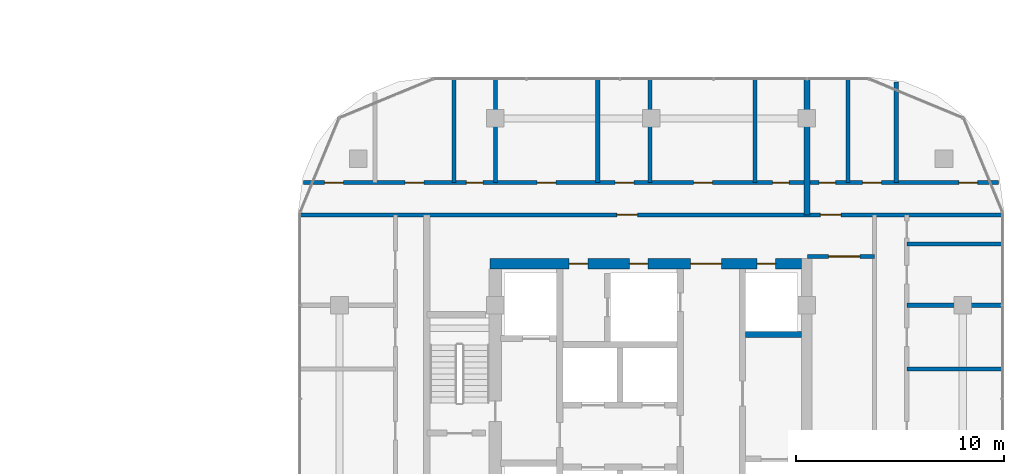
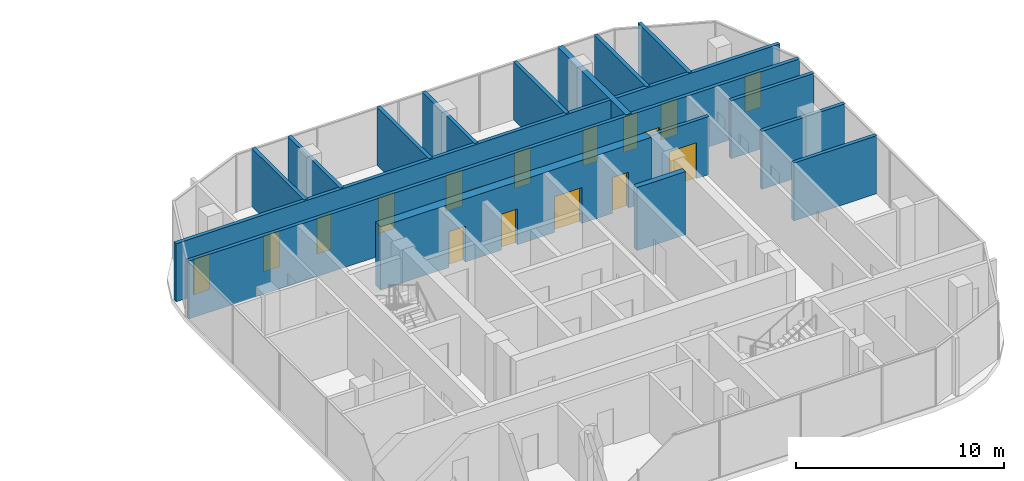
# One storey, part 23 of 32: 17 doors, 16 walls, 17 openings.
"""IFC4 building model written with IfcOpenShell, lengths in metres."""

from ifc_helpers import new_model, si_unit, direction, frame, frame_2d, origin, place, context, subcontext, project, spatial, rectangle, extrude, material, layer, layer_set, type_object, element, fill, save


model = new_model("IFC4")

# Units and contexts
model_context = context("Model", 3, precision=1e-05, world=origin(), true_north=direction((0.0, 1.0)))
body_context = subcontext(model_context, "Body", "Model", "MODEL_VIEW")
ifc_project = project(units=[si_unit("LENGTHUNIT", "METRE"), si_unit("AREAUNIT", "SQUARE_METRE"), si_unit("VOLUMEUNIT", "CUBIC_METRE"), si_unit("PLANEANGLEUNIT", "RADIAN"), si_unit("MASSUNIT", "GRAM", prefix="KILO")], contexts=[model_context])

# Site, building, storey
site_placement = place(None, origin())
site = spatial("IfcSite", under=ifc_project, at=site_placement, CompositionType="ELEMENT")
building_placement = place(site_placement, origin())
building = spatial("IfcBuilding", under=site, at=building_placement, Name="Ogive Portal Towers", CompositionType="ELEMENT")
storey_placement = place(building_placement, frame((0.0, 0.0, 59.39990234375)))
storey = spatial("IfcBuildingStorey", under=building, at=storey_placement, Name="L13", CompositionType="ELEMENT", Elevation=59.39990234375)

# Wall
ifc_material_1 = material(Name="Concrete C60/75", Category="concrete")
ifc_layer_1 = layer(ifc_material_1, 0.300048828125)
ifc_layer_set_1 = layer_set([ifc_layer_1], Name="CORE WALL 300 C60")
wall_type_1 = type_object("IfcWallType", Name="CORE WALL 300 C60", PredefinedType="SHEAR", material=ifc_layer_set_1)
wall_1_placement = place(storey_placement, frame((141.050048828125, 34.10009765625, 0.0), z_axis=(0.0, 0.0, 1.0), x_axis=(1.0, 0.0, 0.0)))
element("IfcWall", 1, at=wall_1_placement, inside=storey, type_object=wall_type_1, Name="Tower B core wall BY7 L13", PredefinedType="SHEAR", context=body_context, shape_type="SweptSolid", body=[
    extrude(rectangle(XDim=2.699951171875, YDim=0.300048828125, at=frame_2d((1.35009765625, 0.0))), origin(), (0.0, 0.0, 1.0), 3.7001953125),
])

# Wall, openings, doors
ifc_layer_2 = layer(ifc_material_1, 0.5)
ifc_layer_set_2 = layer_set([ifc_layer_2], Name="CORE WALL 500 C60")
wall_type_2 = type_object("IfcWallType", Name="CORE WALL 500 C60", PredefinedType="SHEAR", material=ifc_layer_set_2)
wall_2_placement = place(storey_placement, frame((128.75, 37.5, 0.0), z_axis=(0.0, 0.0, 1.0), x_axis=(1.0, 0.0, 0.0)))
wall_2 = element("IfcWall", 2, at=wall_2_placement, inside=storey, type_object=wall_type_2, Name="Tower B core wall BN L13", PredefinedType="SHEAR", context=body_context, shape_type="SweptSolid", body=[
    extrude(rectangle(XDim=15.0, YDim=0.5, at=frame_2d((7.5, 0.0))), origin(), (0.0, 0.0, 1.0), 3.7001953125),
])
opening_1_placement = place(wall_2_placement, frame((9.64990234375, 0.0, 0.0)))
opening_1 = element("IfcOpeningElement", 3, at=opening_1_placement, cuts=wall_2, Name="Opening B03-045", PredefinedType="OPENING", context=body_context, shape_type="SweptSolid", body=[
    extrude(rectangle(XDim=1.5, YDim=2.10009765625, at=frame_2d((0.75, 1.050048828125))), frame((0.0, 0.260009765625, 0.0), z_axis=(0.0, -1.0, 0.0), x_axis=(1.0, 0.0, 0.0)), (0.0, 0.0, 1.0), 0.52001953125),
])
opening_2_placement = place(wall_2_placement, frame((12.85009765625, 0.0, 0.0)))
opening_2 = element("IfcOpeningElement", 4, at=opening_2_placement, cuts=wall_2, Name="Opening B03-047", PredefinedType="OPENING", context=body_context, shape_type="SweptSolid", body=[
    extrude(rectangle(XDim=0.89990234375, YDim=2.10009765625, at=frame_2d((0.449951171875, 1.050048828125))), frame((0.0, 0.260009765625, 0.0), z_axis=(0.0, -1.0, 0.0), x_axis=(1.0, 0.0, 0.0)), (0.0, 0.0, 1.0), 0.52001953125),
])
opening_3_placement = place(wall_2_placement, frame((3.800048828125, 0.0, 0.0)))
opening_3 = element("IfcOpeningElement", 5, at=opening_3_placement, cuts=wall_2, Name="Opening B03-054", PredefinedType="OPENING", context=body_context, shape_type="SweptSolid", body=[
    extrude(rectangle(XDim=0.89990234375, YDim=2.10009765625, at=frame_2d((0.449951171875, 1.050048828125))), frame((0.0, 0.260009765625, 0.0), z_axis=(0.0, -1.0, 0.0), x_axis=(1.0, 0.0, 0.0)), (0.0, 0.0, 1.0), 0.52001953125),
])
opening_4_placement = place(wall_2_placement, frame((6.699951171875, 0.0, 0.0)))
opening_4 = element("IfcOpeningElement", 6, at=opening_4_placement, cuts=wall_2, Name="Opening B03-055", PredefinedType="OPENING", context=body_context, shape_type="SweptSolid", body=[
    extrude(rectangle(XDim=0.89990234375, YDim=2.10009765625, at=frame_2d((0.449951171875, 1.050048828125))), frame((0.0, 0.260009765625, 0.0), z_axis=(0.0, -1.0, 0.0), x_axis=(1.0, 0.0, 0.0)), (0.0, 0.0, 1.0), 0.52001953125),
])
ifc_material_2 = material(Name="Steel fire door", Category="steel")
door_type_1 = type_object("IfcDoorType", Name="DT-SWING-1500x2100-FD90S", OperationType="SINGLE_SWING_LEFT", PredefinedType="DOOR", material=ifc_material_2)
door_1_placement = place(opening_1_placement, origin())
door_1 = element("IfcDoor", 7, at=door_1_placement, inside=storey, type_object=door_type_1, Name="Door B03-045", OperationType="SINGLE_SWING_RIGHT", OverallHeight=2.10009765625, OverallWidth=1.5, PredefinedType="DOOR", context=body_context, shape_type="SweptSolid", body=[
    extrude(rectangle(XDim=1.5, YDim=2.10009765625, at=frame_2d((0.75, 1.050048828125))), frame((0.0, 0.02490234375, 0.0), z_axis=(0.0, -1.0, 0.0), x_axis=(1.0, 0.0, 0.0)), (0.0, 0.0, 1.0), 0.050048828125),
])
fill(opening_1, door_1)
door_type_2 = type_object("IfcDoorType", Name="DT-SWING-900x2100-FD90S", OperationType="SINGLE_SWING_LEFT", PredefinedType="DOOR", material=ifc_material_2)
door_2_placement = place(opening_2_placement, origin())
door_2 = element("IfcDoor", 8, at=door_2_placement, inside=storey, type_object=door_type_2, Name="Riser access door B03-047", OperationType="SINGLE_SWING_RIGHT", OverallHeight=2.10009765625, OverallWidth=0.89990234375, PredefinedType="DOOR", context=body_context, shape_type="SweptSolid", body=[
    extrude(rectangle(XDim=0.89990234375, YDim=2.10009765625, at=frame_2d((0.449951171875, 1.050048828125))), frame((0.0, 0.02490234375, 0.0), z_axis=(0.0, -1.0, 0.0), x_axis=(1.0, 0.0, 0.0)), (0.0, 0.0, 1.0), 0.050048828125),
])
fill(opening_2, door_2)
door_3_placement = place(opening_3_placement, origin())
door_3 = element("IfcDoor", 9, at=door_3_placement, inside=storey, type_object=door_type_2, Name="Door B03-054", OperationType="SINGLE_SWING_LEFT", OverallHeight=2.10009765625, OverallWidth=0.89990234375, PredefinedType="DOOR", context=body_context, shape_type="SweptSolid", body=[
    extrude(rectangle(XDim=0.89990234375, YDim=2.10009765625, at=frame_2d((0.449951171875, 1.050048828125))), frame((0.0, 0.02490234375, 0.0), z_axis=(0.0, -1.0, 0.0), x_axis=(1.0, 0.0, 0.0)), (0.0, 0.0, 1.0), 0.050048828125),
])
fill(opening_3, door_3)
door_4_placement = place(opening_4_placement, origin())
door_4 = element("IfcDoor", 10, at=door_4_placement, inside=storey, type_object=door_type_2, Name="Riser access door B03-055", OperationType="SINGLE_SWING_RIGHT", OverallHeight=2.10009765625, OverallWidth=0.89990234375, PredefinedType="DOOR", context=body_context, shape_type="SweptSolid", body=[
    extrude(rectangle(XDim=0.89990234375, YDim=2.10009765625, at=frame_2d((0.449951171875, 1.050048828125))), frame((0.0, 0.02490234375, 0.0), z_axis=(0.0, -1.0, 0.0), x_axis=(1.0, 0.0, 0.0)), (0.0, 0.0, 1.0), 0.050048828125),
])
fill(opening_4, door_4)

# Walls
ifc_material_3 = material(Name="Gypsum board partition on steel studs", Category="steel")
ifc_layer_3 = layer(ifc_material_3, 0.199951171875)
ifc_layer_set_3 = layer_set([ifc_layer_3], Name="WT-PART-200-EI 60")
wall_type_3 = type_object("IfcWallType", Name="WT-PART-200-EI 60", PredefinedType="PARTITIONING", material=ifc_layer_set_3)
for number, where, z_axis, x_axis, name in (
    (11, (148.81005859375, 32.43310546875, 0.0), (0.0, 0.0, 1.0), (1.0, 0.0, 0.0), "Wall L13:w012"),
    (12, (148.81005859375, 35.5, 0.0), (0.0, 0.0, 1.0), (1.0, 0.0, 0.0), "Wall L13:w015"),
):
    element("IfcWall", number, at=place(storey_placement, frame(where, z_axis=z_axis, x_axis=x_axis)), inside=storey, type_object=wall_type_3, Name=name, PredefinedType="PARTITIONING", context=body_context, shape_type="SweptSolid", body=[
        extrude(rectangle(XDim=4.60986328125, YDim=0.199951171875, at=frame_2d((2.304931640625, 0.0))), origin(), (0.0, 0.0, 1.0), 3.400146484375),
    ])

# Wall, opening, door
wall_3_placement = place(storey_placement, frame((144.02001953125, 37.85009765625, 0.0), z_axis=(0.0, 0.0, 1.0), x_axis=(1.0, 0.0, 0.0)))
wall_3 = element("IfcWall", 13, at=wall_3_placement, inside=storey, type_object=wall_type_3, Name="Wall L13:w017", PredefinedType="PARTITIONING", context=body_context, shape_type="SweptSolid", body=[
    extrude(rectangle(XDim=3.22998046875, YDim=0.199951171875, at=frame_2d((1.614990234375, 0.0))), origin(), (0.0, 0.0, 1.0), 3.400146484375),
])
opening_5_placement = place(wall_3_placement, frame((1.030029296875, 0.0, 0.0)))
opening_5 = element("IfcOpeningElement", 14, at=opening_5_placement, cuts=wall_3, Name="Opening B03-001", PredefinedType="OPENING", context=body_context, shape_type="SweptSolid", body=[
    extrude(rectangle(XDim=1.5, YDim=2.10009765625, at=frame_2d((0.75, 1.050048828125))), frame((0.0, 0.10986328125, 0.0), z_axis=(0.0, -1.0, 0.0), x_axis=(1.0, 0.0, 0.0)), (0.0, 0.0, 1.0), 0.219970703125),
])
door_type_3 = type_object("IfcDoorType", Name="DT-SWING-1500x2100-FD60S", OperationType="SINGLE_SWING_LEFT", PredefinedType="DOOR", material=ifc_material_2)
door_5_placement = place(opening_5_placement, origin())
door_5 = element("IfcDoor", 15, at=door_5_placement, inside=storey, type_object=door_type_3, Name="Door B03-001", OperationType="SINGLE_SWING_LEFT", OverallHeight=2.10009765625, OverallWidth=1.5, PredefinedType="DOOR", context=body_context, shape_type="SweptSolid", body=[
    extrude(rectangle(XDim=1.5, YDim=2.10009765625, at=frame_2d((0.75, 1.050048828125))), frame((0.0, 0.02490234375, 0.0), z_axis=(0.0, -1.0, 0.0), x_axis=(1.0, 0.0, 0.0)), (0.0, 0.0, 1.0), 0.050048828125),
])
fill(opening_5, door_5)

# Wall
wall_4_placement = place(storey_placement, frame((148.81005859375, 38.4560546875, 0.0), z_axis=(0.0, 0.0, 1.0), x_axis=(1.0, 0.0, 0.0)))
element("IfcWall", 16, at=wall_4_placement, inside=storey, type_object=wall_type_3, Name="Wall L13:w018", PredefinedType="PARTITIONING", context=body_context, shape_type="SweptSolid", body=[
    extrude(rectangle(XDim=4.60986328125, YDim=0.199951171875, at=frame_2d((2.304931640625, 0.0))), origin(), (0.0, 0.0, 1.0), 3.400146484375),
])

# Wall, openings, doors
wall_5_placement = place(storey_placement, frame((119.580078125, 39.85009765625, 0.0), z_axis=(0.0, 0.0, 1.0), x_axis=(1.0, 0.0, 0.0)))
wall_5 = element("IfcWall", 17, at=wall_5_placement, inside=storey, type_object=wall_type_3, Name="Wall L13:w019", PredefinedType="PARTITIONING", context=body_context, shape_type="SweptSolid", body=[
    extrude(rectangle(XDim=33.83984375, YDim=0.199951171875, at=frame_2d((16.919921875, 0.0))), origin(), (0.0, 0.0, 1.0), 3.400146484375),
])
opening_6_placement = place(wall_5_placement, frame((15.27001953125, 0.0, 0.0)))
opening_6 = element("IfcOpeningElement", 18, at=opening_6_placement, cuts=wall_5, Name="Opening B03-005", PredefinedType="OPENING", context=body_context, shape_type="SweptSolid", body=[
    extrude(rectangle(XDim=1.0, YDim=2.10009765625, at=frame_2d((0.5, 1.050048828125))), frame((0.0, 0.10986328125, 0.0), z_axis=(0.0, -1.0, 0.0), x_axis=(1.0, 0.0, 0.0)), (0.0, 0.0, 1.0), 0.219970703125),
])
opening_7_placement = place(wall_5_placement, frame((25.070068359375, 0.0, 0.0)))
opening_7 = element("IfcOpeningElement", 19, at=opening_7_placement, cuts=wall_5, Name="Opening B03-013", PredefinedType="OPENING", context=body_context, shape_type="SweptSolid", body=[
    extrude(rectangle(XDim=1.0, YDim=2.10009765625, at=frame_2d((0.5, 1.050048828125))), frame((0.0, 0.10986328125, 0.0), z_axis=(0.0, -1.0, 0.0), x_axis=(1.0, 0.0, 0.0)), (0.0, 0.0, 1.0), 0.219970703125),
])
door_type_4 = type_object("IfcDoorType", Name="DT-SWING-1000x2100-FD60S", OperationType="SINGLE_SWING_LEFT", PredefinedType="DOOR", material=ifc_material_2)
door_6_placement = place(opening_6_placement, origin())
door_6 = element("IfcDoor", 20, at=door_6_placement, inside=storey, type_object=door_type_4, Name="Door B03-005", OperationType="SINGLE_SWING_LEFT", OverallHeight=2.10009765625, OverallWidth=1.0, PredefinedType="DOOR", context=body_context, shape_type="SweptSolid", body=[
    extrude(rectangle(XDim=1.0, YDim=2.10009765625, at=frame_2d((0.5, 1.050048828125))), frame((0.0, 0.02490234375, 0.0), z_axis=(0.0, -1.0, 0.0), x_axis=(1.0, 0.0, 0.0)), (0.0, 0.0, 1.0), 0.050048828125),
])
fill(opening_6, door_6)
door_7_placement = place(opening_7_placement, origin())
door_7 = element("IfcDoor", 21, at=door_7_placement, inside=storey, type_object=door_type_4, Name="Door B03-013", OperationType="SINGLE_SWING_LEFT", OverallHeight=2.10009765625, OverallWidth=1.0, PredefinedType="DOOR", context=body_context, shape_type="SweptSolid", body=[
    extrude(rectangle(XDim=1.0, YDim=2.10009765625, at=frame_2d((0.5, 1.050048828125))), frame((0.0, 0.02490234375, 0.0), z_axis=(0.0, -1.0, 0.0), x_axis=(1.0, 0.0, 0.0)), (0.0, 0.0, 1.0), 0.050048828125),
])
fill(opening_7, door_7)

wall_6_placement = place(storey_placement, frame((119.76611328125, 41.409912109375, 0.0), z_axis=(0.0, 0.0, 1.0), x_axis=(1.0, 0.0, 0.0)))
wall_6 = element("IfcWall", 22, at=wall_6_placement, inside=storey, type_object=wall_type_3, Name="Wall L13:w020", PredefinedType="PARTITIONING", context=body_context, shape_type="SweptSolid", body=[
    extrude(rectangle(XDim=33.4677734375, YDim=0.199951171875, at=frame_2d((16.73388671875, 0.0))), origin(), (0.0, 0.0, 1.0), 3.400146484375),
])
opening_8_placement = place(wall_6_placement, frame((1.01708984375, 0.0, 0.0)))
opening_8 = element("IfcOpeningElement", 23, at=opening_8_placement, cuts=wall_6, Name="Opening B03-006", PredefinedType="OPENING", context=body_context, shape_type="SweptSolid", body=[
    extrude(rectangle(XDim=0.89990234375, YDim=2.10009765625, at=frame_2d((0.449951171875, 1.050048828125))), frame((0.0, 0.10986328125, 0.0), z_axis=(0.0, -1.0, 0.0), x_axis=(1.0, 0.0, 0.0)), (0.0, 0.0, 1.0), 0.219970703125),
])
opening_9_placement = place(wall_6_placement, frame((4.887939453125, 0.0, 0.0)))
opening_9 = element("IfcOpeningElement", 24, at=opening_9_placement, cuts=wall_6, Name="Opening B03-007", PredefinedType="OPENING", context=body_context, shape_type="SweptSolid", body=[
    extrude(rectangle(XDim=0.89990234375, YDim=2.10009765625, at=frame_2d((0.449951171875, 1.050048828125))), frame((0.0, 0.10986328125, 0.0), z_axis=(0.0, -1.0, 0.0), x_axis=(1.0, 0.0, 0.0)), (0.0, 0.0, 1.0), 0.219970703125),
])
opening_10_placement = place(wall_6_placement, frame((7.8349609375, 0.0, 0.0)))
opening_10 = element("IfcOpeningElement", 25, at=opening_10_placement, cuts=wall_6, Name="Opening B03-008", PredefinedType="OPENING", context=body_context, shape_type="SweptSolid", body=[
    extrude(rectangle(XDim=0.800048828125, YDim=2.10009765625, at=frame_2d((0.39990234375, 1.050048828125))), frame((0.0, 0.10986328125, 0.0), z_axis=(0.0, -1.0, 0.0), x_axis=(1.0, 0.0, 0.0)), (0.0, 0.0, 1.0), 0.219970703125),
])
opening_11_placement = place(wall_6_placement, frame((11.2509765625, 0.0, 0.0)))
opening_11 = element("IfcOpeningElement", 26, at=opening_11_placement, cuts=wall_6, Name="Opening B03-009", PredefinedType="OPENING", context=body_context, shape_type="SweptSolid", body=[
    extrude(rectangle(XDim=0.89990234375, YDim=2.10009765625, at=frame_2d((0.449951171875, 1.050048828125))), frame((0.0, 0.10986328125, 0.0), z_axis=(0.0, -1.0, 0.0), x_axis=(1.0, 0.0, 0.0)), (0.0, 0.0, 1.0), 0.219970703125),
])
opening_12_placement = place(wall_6_placement, frame((15.0009765625, 0.0, 0.0)))
opening_12 = element("IfcOpeningElement", 27, at=opening_12_placement, cuts=wall_6, Name="Opening B03-010", PredefinedType="OPENING", context=body_context, shape_type="SweptSolid", body=[
    extrude(rectangle(XDim=0.89990234375, YDim=2.10009765625, at=frame_2d((0.449951171875, 1.050048828125))), frame((0.0, 0.10986328125, 0.0), z_axis=(0.0, -1.0, 0.0), x_axis=(1.0, 0.0, 0.0)), (0.0, 0.0, 1.0), 0.219970703125),
])
opening_13_placement = place(wall_6_placement, frame((18.782958984375, 0.0, 0.0)))
opening_13 = element("IfcOpeningElement", 28, at=opening_13_placement, cuts=wall_6, Name="Opening B03-011", PredefinedType="OPENING", context=body_context, shape_type="SweptSolid", body=[
    extrude(rectangle(XDim=0.89990234375, YDim=2.10009765625, at=frame_2d((0.449951171875, 1.050048828125))), frame((0.0, 0.10986328125, 0.0), z_axis=(0.0, -1.0, 0.0), x_axis=(1.0, 0.0, 0.0)), (0.0, 0.0, 1.0), 0.219970703125),
])
opening_14_placement = place(wall_6_placement, frame((22.5830078125, 0.0, 0.0)))
opening_14 = element("IfcOpeningElement", 29, at=opening_14_placement, cuts=wall_6, Name="Opening B03-012", PredefinedType="OPENING", context=body_context, shape_type="SweptSolid", body=[
    extrude(rectangle(XDim=0.800048828125, YDim=2.10009765625, at=frame_2d((0.39990234375, 1.050048828125))), frame((0.0, 0.10986328125, 0.0), z_axis=(0.0, -1.0, 0.0), x_axis=(1.0, 0.0, 0.0)), (0.0, 0.0, 1.0), 0.219970703125),
])
opening_15_placement = place(wall_6_placement, frame((24.821044921875, 0.0, 0.0)))
opening_15 = element("IfcOpeningElement", 30, at=opening_15_placement, cuts=wall_6, Name="Opening B03-014", PredefinedType="OPENING", context=body_context, shape_type="SweptSolid", body=[
    extrude(rectangle(XDim=0.800048828125, YDim=2.10009765625, at=frame_2d((0.39990234375, 1.050048828125))), frame((0.0, 0.10986328125, 0.0), z_axis=(0.0, -1.0, 0.0), x_axis=(1.0, 0.0, 0.0)), (0.0, 0.0, 1.0), 0.219970703125),
])
opening_16_placement = place(wall_6_placement, frame((26.923095703125, 0.0, 0.0)))
opening_16 = element("IfcOpeningElement", 31, at=opening_16_placement, cuts=wall_6, Name="Opening B03-015", PredefinedType="OPENING", context=body_context, shape_type="SweptSolid", body=[
    extrude(rectangle(XDim=0.89990234375, YDim=2.10009765625, at=frame_2d((0.449951171875, 1.050048828125))), frame((0.0, 0.10986328125, 0.0), z_axis=(0.0, -1.0, 0.0), x_axis=(1.0, 0.0, 0.0)), (0.0, 0.0, 1.0), 0.219970703125),
])
opening_17_placement = place(wall_6_placement, frame((31.555908203125, 0.0, 0.0)))
opening_17 = element("IfcOpeningElement", 32, at=opening_17_placement, cuts=wall_6, Name="Opening B03-016", PredefinedType="OPENING", context=body_context, shape_type="SweptSolid", body=[
    extrude(rectangle(XDim=0.89990234375, YDim=2.10009765625, at=frame_2d((0.449951171875, 1.050048828125))), frame((0.0, 0.10986328125, 0.0), z_axis=(0.0, -1.0, 0.0), x_axis=(1.0, 0.0, 0.0)), (0.0, 0.0, 1.0), 0.219970703125),
])
door_type_5 = type_object("IfcDoorType", Name="DT-SWING-800x2100-FD60S", OperationType="SINGLE_SWING_LEFT", PredefinedType="DOOR", material=ifc_material_2)
door_8_placement = place(opening_10_placement, origin())
door_8 = element("IfcDoor", 33, at=door_8_placement, inside=storey, type_object=door_type_5, Name="Door B03-008", OperationType="SINGLE_SWING_RIGHT", OverallHeight=2.10009765625, OverallWidth=0.800048828125, PredefinedType="DOOR", context=body_context, shape_type="SweptSolid", body=[
    extrude(rectangle(XDim=0.800048828125, YDim=2.10009765625, at=frame_2d((0.39990234375, 1.050048828125))), frame((0.0, 0.02490234375, 0.0), z_axis=(0.0, -1.0, 0.0), x_axis=(1.0, 0.0, 0.0)), (0.0, 0.0, 1.0), 0.050048828125),
])
fill(opening_10, door_8)
door_9_placement = place(opening_14_placement, origin())
door_9 = element("IfcDoor", 34, at=door_9_placement, inside=storey, type_object=door_type_5, Name="Door B03-012", OperationType="SINGLE_SWING_RIGHT", OverallHeight=2.10009765625, OverallWidth=0.800048828125, PredefinedType="DOOR", context=body_context, shape_type="SweptSolid", body=[
    extrude(rectangle(XDim=0.800048828125, YDim=2.10009765625, at=frame_2d((0.39990234375, 1.050048828125))), frame((0.0, 0.02490234375, 0.0), z_axis=(0.0, -1.0, 0.0), x_axis=(1.0, 0.0, 0.0)), (0.0, 0.0, 1.0), 0.050048828125),
])
fill(opening_14, door_9)
door_10_placement = place(opening_15_placement, origin())
door_10 = element("IfcDoor", 35, at=door_10_placement, inside=storey, type_object=door_type_5, Name="Door B03-014", OperationType="SINGLE_SWING_RIGHT", OverallHeight=2.10009765625, OverallWidth=0.800048828125, PredefinedType="DOOR", context=body_context, shape_type="SweptSolid", body=[
    extrude(rectangle(XDim=0.800048828125, YDim=2.10009765625, at=frame_2d((0.39990234375, 1.050048828125))), frame((0.0, 0.02490234375, 0.0), z_axis=(0.0, -1.0, 0.0), x_axis=(1.0, 0.0, 0.0)), (0.0, 0.0, 1.0), 0.050048828125),
])
fill(opening_15, door_10)
door_type_6 = type_object("IfcDoorType", Name="DT-SWING-900x2100-FD60S", OperationType="SINGLE_SWING_LEFT", PredefinedType="DOOR", material=ifc_material_2)
door_11_placement = place(opening_8_placement, origin())
door_11 = element("IfcDoor", 36, at=door_11_placement, inside=storey, type_object=door_type_6, Name="Door B03-006", OperationType="SINGLE_SWING_RIGHT", OverallHeight=2.10009765625, OverallWidth=0.89990234375, PredefinedType="DOOR", context=body_context, shape_type="SweptSolid", body=[
    extrude(rectangle(XDim=0.89990234375, YDim=2.10009765625, at=frame_2d((0.449951171875, 1.050048828125))), frame((0.0, 0.02490234375, 0.0), z_axis=(0.0, -1.0, 0.0), x_axis=(1.0, 0.0, 0.0)), (0.0, 0.0, 1.0), 0.050048828125),
])
fill(opening_8, door_11)
door_12_placement = place(opening_9_placement, origin())
door_12 = element("IfcDoor", 37, at=door_12_placement, inside=storey, type_object=door_type_6, Name="Door B03-007", OperationType="SINGLE_SWING_LEFT", OverallHeight=2.10009765625, OverallWidth=0.89990234375, PredefinedType="DOOR", context=body_context, shape_type="SweptSolid", body=[
    extrude(rectangle(XDim=0.89990234375, YDim=2.10009765625, at=frame_2d((0.449951171875, 1.050048828125))), frame((0.0, 0.02490234375, 0.0), z_axis=(0.0, -1.0, 0.0), x_axis=(1.0, 0.0, 0.0)), (0.0, 0.0, 1.0), 0.050048828125),
])
fill(opening_9, door_12)
door_13_placement = place(opening_11_placement, origin())
door_13 = element("IfcDoor", 38, at=door_13_placement, inside=storey, type_object=door_type_6, Name="Door B03-009", OperationType="SINGLE_SWING_LEFT", OverallHeight=2.10009765625, OverallWidth=0.89990234375, PredefinedType="DOOR", context=body_context, shape_type="SweptSolid", body=[
    extrude(rectangle(XDim=0.89990234375, YDim=2.10009765625, at=frame_2d((0.449951171875, 1.050048828125))), frame((0.0, 0.02490234375, 0.0), z_axis=(0.0, -1.0, 0.0), x_axis=(1.0, 0.0, 0.0)), (0.0, 0.0, 1.0), 0.050048828125),
])
fill(opening_11, door_13)
door_14_placement = place(opening_12_placement, origin())
door_14 = element("IfcDoor", 39, at=door_14_placement, inside=storey, type_object=door_type_6, Name="Door B03-010", OperationType="SINGLE_SWING_RIGHT", OverallHeight=2.10009765625, OverallWidth=0.89990234375, PredefinedType="DOOR", context=body_context, shape_type="SweptSolid", body=[
    extrude(rectangle(XDim=0.89990234375, YDim=2.10009765625, at=frame_2d((0.449951171875, 1.050048828125))), frame((0.0, 0.02490234375, 0.0), z_axis=(0.0, -1.0, 0.0), x_axis=(1.0, 0.0, 0.0)), (0.0, 0.0, 1.0), 0.050048828125),
])
fill(opening_12, door_14)
door_15_placement = place(opening_13_placement, origin())
door_15 = element("IfcDoor", 40, at=door_15_placement, inside=storey, type_object=door_type_6, Name="Door B03-011", OperationType="SINGLE_SWING_LEFT", OverallHeight=2.10009765625, OverallWidth=0.89990234375, PredefinedType="DOOR", context=body_context, shape_type="SweptSolid", body=[
    extrude(rectangle(XDim=0.89990234375, YDim=2.10009765625, at=frame_2d((0.449951171875, 1.050048828125))), frame((0.0, 0.02490234375, 0.0), z_axis=(0.0, -1.0, 0.0), x_axis=(1.0, 0.0, 0.0)), (0.0, 0.0, 1.0), 0.050048828125),
])
fill(opening_13, door_15)
door_16_placement = place(opening_16_placement, origin())
door_16 = element("IfcDoor", 41, at=door_16_placement, inside=storey, type_object=door_type_6, Name="Door B03-015", OperationType="SINGLE_SWING_LEFT", OverallHeight=2.10009765625, OverallWidth=0.89990234375, PredefinedType="DOOR", context=body_context, shape_type="SweptSolid", body=[
    extrude(rectangle(XDim=0.89990234375, YDim=2.10009765625, at=frame_2d((0.449951171875, 1.050048828125))), frame((0.0, 0.02490234375, 0.0), z_axis=(0.0, -1.0, 0.0), x_axis=(1.0, 0.0, 0.0)), (0.0, 0.0, 1.0), 0.050048828125),
])
fill(opening_16, door_16)
door_17_placement = place(opening_17_placement, origin())
door_17 = element("IfcDoor", 42, at=door_17_placement, inside=storey, type_object=door_type_6, Name="Door B03-016", OperationType="SINGLE_SWING_RIGHT", OverallHeight=2.10009765625, OverallWidth=0.89990234375, PredefinedType="DOOR", context=body_context, shape_type="SweptSolid", body=[
    extrude(rectangle(XDim=0.89990234375, YDim=2.10009765625, at=frame_2d((0.449951171875, 1.050048828125))), frame((0.0, 0.02490234375, 0.0), z_axis=(0.0, -1.0, 0.0), x_axis=(1.0, 0.0, 0.0)), (0.0, 0.0, 1.0), 0.050048828125),
])
fill(opening_17, door_17)

# Walls
for number, where, z_axis, x_axis, name in (
    (43, (127.001953125, 41.409912109375, 0.0), (0.0, 0.0, 1.0), (0.0, 1.0, 0.0), "Wall L13:w025"),
    (44, (129.0, 41.409912109375, 0.0), (0.0, 0.0, 1.0), (0.0, 1.0, 0.0), "Wall L13:w029"),
    (45, (133.93310546875, 41.409912109375, 0.0), (0.0, 0.0, 1.0), (0.0, 1.0, 0.0), "Wall L13:w030"),
    (46, (136.449951171875, 41.409912109375, 0.0), (0.0, 0.0, 1.0), (0.0, 1.0, 0.0), "Wall L13:w034"),
    (47, (141.4970703125, 41.409912109375, 0.0), (0.0, 0.0, 1.0), (0.0, 1.0, 0.0), "Wall L13:w036"),
    (48, (145.97412109375, 41.409912109375, 0.0), (0.0, 0.0, 1.0), (0.0, 1.0, 0.0), "Wall L13:w042"),
):
    element("IfcWall", number, at=place(storey_placement, frame(where, z_axis=z_axis, x_axis=x_axis)), inside=storey, type_object=wall_type_3, Name=name, PredefinedType="PARTITIONING", context=body_context, shape_type="SweptSolid", body=[
        extrude(rectangle(XDim=5.010009765625, YDim=0.199951171875, at=frame_2d((2.5048828125, 0.0))), origin(), (0.0, 0.0, 1.0), 3.400146484375),
    ])
wall_7_placement = place(storey_placement, frame((148.303955078125, 41.409912109375, 0.0), z_axis=(0.0, 0.0, 1.0), x_axis=(0.0, 1.0, 0.0)))
element("IfcWall", 49, at=wall_7_placement, inside=storey, type_object=wall_type_3, Name="Wall L13:w045", PredefinedType="PARTITIONING", context=body_context, shape_type="SweptSolid", body=[
    extrude(rectangle(XDim=4.838134765625, YDim=0.199951171875, at=frame_2d((2.4189453125, 0.0))), origin(), (0.0, 0.0, 1.0), 3.400146484375),
])
ifc_layer_4 = layer(ifc_material_3, 0.300048828125)
ifc_layer_set_4 = layer_set([ifc_layer_4], Name="WT-PART-300-EI 60")
wall_type_4 = type_object("IfcWallType", Name="WT-PART-300-EI 60", PredefinedType="PARTITIONING", material=ifc_layer_set_4)
wall_8_placement = place(storey_placement, frame((144.0, 39.85009765625, 0.0), z_axis=(0.0, 0.0, 1.0), x_axis=(0.0, 1.0, 0.0)))
element("IfcWall", 50, at=wall_8_placement, inside=storey, type_object=wall_type_4, Name="Wall L13:w038", PredefinedType="PARTITIONING", context=body_context, shape_type="SweptSolid", body=[
    extrude(rectangle(XDim=6.56982421875, YDim=0.300048828125, at=frame_2d((3.284912109375, 0.0))), origin(), (0.0, 0.0, 1.0), 3.400146484375),
])

save(model, "model.ifc")
